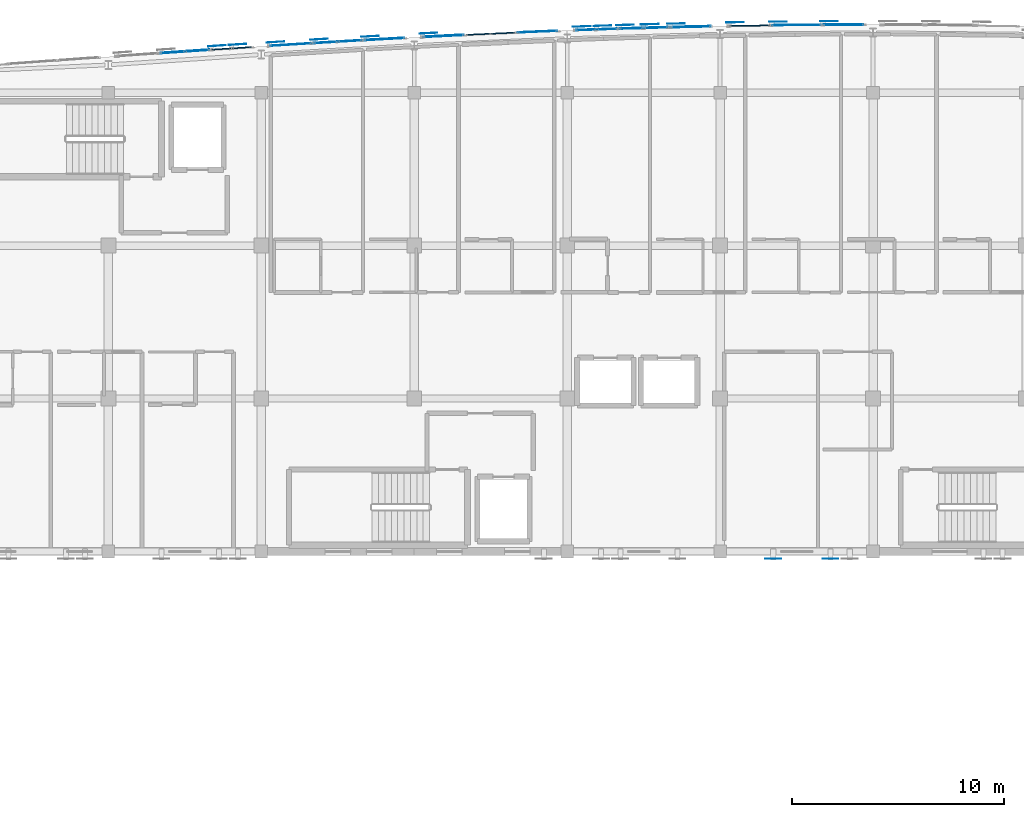
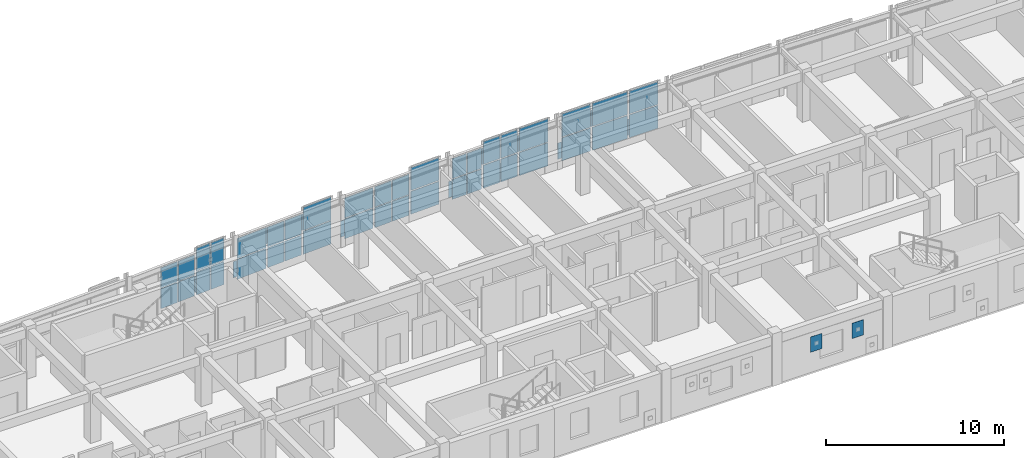
# One storey, part 33 of 50: 56 plates, 14 elements without a shape of their own.
"""IFC4 building model written with IfcOpenShell, lengths in metres."""

from ifc_helpers import new_model, si_unit, direction, frame, origin, origin_2d, place, context, subcontext, project, spatial, rectangle, extrude, material, layer, layer_set, type_object, element, aggregate, save


model = new_model("IFC4")

# Units and contexts
model_context = context("Model", 3, precision=1e-05, world=origin(), true_north=direction((0.0, 1.0)))
body_context = subcontext(model_context, "Body", "Model", "MODEL_VIEW")
ifc_project = project(units=[si_unit("LENGTHUNIT", "METRE"), si_unit("AREAUNIT", "SQUARE_METRE"), si_unit("VOLUMEUNIT", "CUBIC_METRE"), si_unit("PLANEANGLEUNIT", "RADIAN"), si_unit("MASSUNIT", "GRAM", prefix="KILO")], contexts=[model_context])

# Site, building, storey
site_placement = place(None, origin())
site = spatial("IfcSite", under=ifc_project, at=site_placement, CompositionType="ELEMENT")
building_placement = place(site_placement, origin())
building = spatial("IfcBuilding", under=site, at=building_placement, Name="Carrowvane Square Congress Hotel", CompositionType="ELEMENT")
storey_placement = place(building_placement, frame((0.0, 0.0, 22.800048828125)))
storey = spatial("IfcBuildingStorey", under=building, at=storey_placement, Name="L05", CompositionType="ELEMENT", Elevation=22.800048828125)

# Curtain wall, plates
ifc_material_1 = material(Name="Anodised aluminium", Category="aluminium")
ifc_layer_1 = layer(ifc_material_1, 0.162109375)
ifc_layer_set_1 = layer_set([ifc_layer_1], Name="Anodised aluminium")
curtain_wall_type_1 = type_object("IfcCurtainWallType", Name="CW-SYS-1", PredefinedType="NOTDEFINED", material=ifc_layer_set_1)
curtain_wall_1_placement = place(storey_placement, origin())
curtain_wall_1 = element("IfcCurtainWall", 1, at=curtain_wall_1_placement, inside=storey, type_object=curtain_wall_type_1, Name="L05 unitised curtain wall 320", PredefinedType="NOTDEFINED")
ifc_material_2 = material(Name="Double-glazed low-E glass", Category="glass")
ifc_layer_2 = layer(ifc_material_2, 0.028076171875)
ifc_layer_set_2 = layer_set([ifc_layer_2], Name="Double-glazed low-E glass")
plate_type_1 = type_object("IfcPlateType", Name="CW-PAN-1", PredefinedType="CURTAIN_PANEL", material=ifc_layer_set_2)
plate_1_placement = place(storey_placement, frame((70.580078125, 115.66064453125, 0.06005859375), z_axis=(0.0, 0.0, 1.0), x_axis=(0.998051378998, 0.062397474952, 0.0)))
plate_1 = element("IfcPlate", 2, at=plate_1_placement, type_object=plate_type_1, Name="CW-1 panel 1.1", PredefinedType="CURTAIN_PANEL", context=body_context, shape_type="SweptSolid", body=[
    extrude(rectangle(XDim=1.924072265625, YDim=0.028076171875, at=origin_2d()), origin(), (0.0, 0.0, 1.0), 1.372802734375),
])
plate_2_placement = place(storey_placement, frame((70.580078125, 115.66064453125, 1.49267578125), z_axis=(0.0, 0.0, 1.0), x_axis=(0.998051378998, 0.062397474952, 0.0)))
plate_2 = element("IfcPlate", 3, at=plate_2_placement, type_object=plate_type_1, Name="CW-1 panel 1.2", PredefinedType="CURTAIN_PANEL", context=body_context, shape_type="SweptSolid", body=[
    extrude(rectangle(XDim=1.924072265625, YDim=0.028076171875, at=origin_2d()), origin(), (0.0, 0.0, 1.0), 1.372802734375),
])
aggregate(curtain_wall_1, [plate_1, plate_2])

ifc_material_3 = material(Name="Anodised aluminium", Category="aluminium")
ifc_layer_3 = layer(ifc_material_3, 0.221923828125)
ifc_layer_set_3 = layer_set([ifc_layer_3], Name="Anodised aluminium")
curtain_wall_type_2 = type_object("IfcCurtainWallType", Name="CW-SYS-6", PredefinedType="NOTDEFINED", material=ifc_layer_set_3)
curtain_wall_2_placement = place(storey_placement, origin())
curtain_wall_2 = element("IfcCurtainWall", 4, at=curtain_wall_2_placement, inside=storey, type_object=curtain_wall_type_2, Name="L05 unitised curtain wall 325", PredefinedType="NOTDEFINED")
plate_3_placement = place(storey_placement, frame((82.200439453125, 116.267822265625, 0.06982421875), z_axis=(0.0, 0.0, 1.0), x_axis=(0.999194236464, 0.040135742379, 0.0)))
plate_3 = element("IfcPlate", 5, at=plate_3_placement, type_object=plate_type_1, Name="CW-6 panel 1.1", PredefinedType="CURTAIN_PANEL", context=body_context, shape_type="SweptSolid", body=[
    extrude(rectangle(XDim=1.86279296875, YDim=0.028076171875, at=origin_2d()), origin(), (0.0, 0.0, 1.0), 1.570068359375),
])
plate_4_placement = place(storey_placement, frame((82.200439453125, 116.267822265625, 1.7099609375), z_axis=(0.0, 0.0, 1.0), x_axis=(0.999194236464, 0.040135742379, 0.0)))
plate_4 = element("IfcPlate", 6, at=plate_4_placement, type_object=plate_type_1, Name="CW-6 panel 1.2", PredefinedType="CURTAIN_PANEL", context=body_context, shape_type="SweptSolid", body=[
    extrude(rectangle(XDim=1.86279296875, YDim=0.028076171875, at=origin_2d()), origin(), (0.0, 0.0, 1.0), 1.570068359375),
])
aggregate(curtain_wall_2, [plate_3, plate_4])

ifc_material_4 = material(Name="Anodised aluminium", Category="aluminium")
ifc_layer_4 = layer(ifc_material_4, 0.18603515625)
ifc_layer_set_4 = layer_set([ifc_layer_4], Name="Anodised aluminium")
curtain_wall_type_3 = type_object("IfcCurtainWallType", Name="CW-SYS-3", PredefinedType="NOTDEFINED", material=ifc_layer_set_4)
curtain_wall_3_placement = place(storey_placement, origin())
curtain_wall_3 = element("IfcCurtainWall", 7, at=curtain_wall_3_placement, inside=storey, type_object=curtain_wall_type_3, Name="L05 unitised curtain wall 330", PredefinedType="NOTDEFINED")
plate_5_placement = place(storey_placement, frame((94.39990234375, 116.580322265625, 0.06005859375), z_axis=(0.0, 0.0, 1.0), x_axis=(0.999952146231, 0.009782905924, 0.0)))
plate_5 = element("IfcPlate", 8, at=plate_5_placement, type_object=plate_type_1, Name="CW-3 panel 1.1", PredefinedType="CURTAIN_PANEL", context=body_context, shape_type="SweptSolid", body=[
    extrude(rectangle(XDim=2.280029296875, YDim=0.028076171875, at=origin_2d()), origin(), (0.0, 0.0, 1.0), 1.5849609375),
])
plate_6_placement = place(storey_placement, frame((94.39990234375, 116.580322265625, 1.705078125), z_axis=(0.0, 0.0, 1.0), x_axis=(0.999952146231, 0.009782905924, 0.0)))
plate_6 = element("IfcPlate", 9, at=plate_6_placement, type_object=plate_type_1, Name="CW-3 panel 1.2", PredefinedType="CURTAIN_PANEL", context=body_context, shape_type="SweptSolid", body=[
    extrude(rectangle(XDim=2.280029296875, YDim=0.028076171875, at=origin_2d()), origin(), (0.0, 0.0, 1.0), 1.5849609375),
])
aggregate(curtain_wall_3, [plate_5, plate_6])

ifc_material_5 = material(Name="Anodised aluminium", Category="aluminium")
ifc_layer_5 = layer(ifc_material_5, 0.174072265625)
ifc_layer_set_5 = layer_set([ifc_layer_5], Name="Anodised aluminium")
curtain_wall_type_4 = type_object("IfcCurtainWallType", Name="CW-SYS-2", PredefinedType="NOTDEFINED", material=ifc_layer_set_5)
curtain_wall_4_placement = place(storey_placement, origin())
curtain_wall_4 = element("IfcCurtainWall", 10, at=curtain_wall_4_placement, inside=storey, type_object=curtain_wall_type_4, Name="L05 unitised curtain wall 321", PredefinedType="NOTDEFINED")
ifc_material_6 = material(Name="Double-glazed low-E glass", Category="glass")
ifc_layer_6 = layer(ifc_material_6, 0.031982421875)
ifc_layer_set_6 = layer_set([ifc_layer_6], Name="Double-glazed low-E glass")
plate_type_2 = type_object("IfcPlateType", Name="CW-PAN-2", PredefinedType="CURTAIN_PANEL", material=ifc_layer_set_6)
plate_7_placement = place(storey_placement, frame((72.217529296875, 115.7607421875, 0.06982421875), z_axis=(0.0, 0.0, 1.0), x_axis=(0.998266763162, 0.058851249486, 0.0)))
plate_7 = element("IfcPlate", 11, at=plate_7_placement, type_object=plate_type_2, Name="CW-2 panel 1.1", PredefinedType="CURTAIN_PANEL", context=body_context, shape_type="SweptSolid", body=[
    extrude(rectangle(XDim=1.09716796875, YDim=0.031982421875, at=origin_2d()), origin(), (0.0, 0.0, 1.0), 1.35791015625),
])
plate_8_placement = place(storey_placement, frame((72.217529296875, 115.7607421875, 1.497802734375), z_axis=(0.0, 0.0, 1.0), x_axis=(0.998266763162, 0.058851249486, 0.0)))
plate_8 = element("IfcPlate", 12, at=plate_8_placement, type_object=plate_type_2, Name="CW-2 panel 1.2", PredefinedType="CURTAIN_PANEL", context=body_context, shape_type="SweptSolid", body=[
    extrude(rectangle(XDim=1.09716796875, YDim=0.031982421875, at=origin_2d()), origin(), (0.0, 0.0, 1.0), 1.35791015625),
])
plate_9_placement = place(storey_placement, frame((73.382568359375, 115.829345703125, 0.06982421875), z_axis=(0.0, 0.0, 1.0), x_axis=(0.998266763162, 0.058851249486, 0.0)))
plate_9 = element("IfcPlate", 13, at=plate_9_placement, type_object=plate_type_2, Name="CW-2 panel 2.1", PredefinedType="CURTAIN_PANEL", context=body_context, shape_type="SweptSolid", body=[
    extrude(rectangle(XDim=1.09716796875, YDim=0.031982421875, at=origin_2d()), origin(), (0.0, 0.0, 1.0), 1.35791015625),
])
plate_10_placement = place(storey_placement, frame((73.382568359375, 115.829345703125, 1.497802734375), z_axis=(0.0, 0.0, 1.0), x_axis=(0.998266763162, 0.058851249486, 0.0)))
plate_10 = element("IfcPlate", 14, at=plate_10_placement, type_object=plate_type_2, Name="CW-2 panel 2.2", PredefinedType="CURTAIN_PANEL", context=body_context, shape_type="SweptSolid", body=[
    extrude(rectangle(XDim=1.09716796875, YDim=0.031982421875, at=origin_2d()), origin(), (0.0, 0.0, 1.0), 1.35791015625),
])
aggregate(curtain_wall_4, [plate_7, plate_8, plate_9, plate_10])

ifc_material_7 = material(Name="Anodised aluminium", Category="aluminium")
ifc_layer_7 = layer(ifc_material_7, 0.23388671875)
ifc_layer_set_7 = layer_set([ifc_layer_7], Name="Anodised aluminium")
curtain_wall_type_5 = type_object("IfcCurtainWallType", Name="CW-SYS-7", PredefinedType="NOTDEFINED", material=ifc_layer_set_7)
curtain_wall_5_placement = place(storey_placement, origin())
curtain_wall_5 = element("IfcCurtainWall", 15, at=curtain_wall_5_placement, inside=storey, type_object=curtain_wall_type_5, Name="L05 unitised curtain wall 326", PredefinedType="NOTDEFINED")
plate_11_placement = place(storey_placement, frame((84.492919921875, 116.35498046875, 0.06005859375), z_axis=(0.0, 0.0, 1.0), x_axis=(0.999403774749, 0.034526729036, 0.0)))
plate_11 = element("IfcPlate", 16, at=plate_11_placement, type_object=plate_type_2, Name="CW-7 panel 1.1", PredefinedType="CURTAIN_PANEL", context=body_context, shape_type="SweptSolid", body=[
    extrude(rectangle(XDim=0.92529296875, YDim=0.031982421875, at=origin_2d()), origin(), (0.0, 0.0, 1.0), 1.372802734375),
])
plate_12_placement = place(storey_placement, frame((84.492919921875, 116.35498046875, 1.49267578125), z_axis=(0.0, 0.0, 1.0), x_axis=(0.999403774749, 0.034526729036, 0.0)))
plate_12 = element("IfcPlate", 17, at=plate_12_placement, type_object=plate_type_2, Name="CW-7 panel 1.2", PredefinedType="CURTAIN_PANEL", context=body_context, shape_type="SweptSolid", body=[
    extrude(rectangle(XDim=0.92529296875, YDim=0.031982421875, at=origin_2d()), origin(), (0.0, 0.0, 1.0), 1.372802734375),
])
plate_13_placement = place(storey_placement, frame((85.4775390625, 116.388916015625, 0.06005859375), z_axis=(0.0, 0.0, 1.0), x_axis=(0.999403774749, 0.034526729036, 0.0)))
plate_13 = element("IfcPlate", 18, at=plate_13_placement, type_object=plate_type_2, Name="CW-7 panel 2.1", PredefinedType="CURTAIN_PANEL", context=body_context, shape_type="SweptSolid", body=[
    extrude(rectangle(XDim=0.92529296875, YDim=0.031982421875, at=origin_2d()), origin(), (0.0, 0.0, 1.0), 1.372802734375),
])
plate_14_placement = place(storey_placement, frame((85.4775390625, 116.388916015625, 1.49267578125), z_axis=(0.0, 0.0, 1.0), x_axis=(0.999403774749, 0.034526729036, 0.0)))
plate_14 = element("IfcPlate", 19, at=plate_14_placement, type_object=plate_type_2, Name="CW-7 panel 2.2", PredefinedType="CURTAIN_PANEL", context=body_context, shape_type="SweptSolid", body=[
    extrude(rectangle(XDim=0.92529296875, YDim=0.031982421875, at=origin_2d()), origin(), (0.0, 0.0, 1.0), 1.372802734375),
])
aggregate(curtain_wall_5, [plate_11, plate_12, plate_13, plate_14])

ifc_material_8 = material(Name="Anodised aluminium", Category="aluminium")
ifc_layer_8 = layer(ifc_material_8, 0.197998046875)
ifc_layer_set_8 = layer_set([ifc_layer_8], Name="Anodised aluminium")
curtain_wall_type_6 = type_object("IfcCurtainWallType", Name="CW-SYS-4", PredefinedType="NOTDEFINED", material=ifc_layer_set_8)
curtain_wall_6_placement = place(storey_placement, origin())
curtain_wall_6 = element("IfcCurtainWall", 20, at=curtain_wall_6_placement, inside=storey, type_object=curtain_wall_type_6, Name="L05 unitised curtain wall 331", PredefinedType="NOTDEFINED")
plate_15_placement = place(storey_placement, frame((96.607666015625, 116.595458984375, 0.06982421875), z_axis=(0.0, 0.0, 1.0), x_axis=(0.999994652529, 0.003270307911, 0.0)))
plate_15 = element("IfcPlate", 21, at=plate_15_placement, type_object=plate_type_2, Name="CW-4 panel 1.1", PredefinedType="CURTAIN_PANEL", context=body_context, shape_type="SweptSolid", body=[
    extrude(rectangle(XDim=1.875, YDim=0.031982421875, at=origin_2d()), origin(), (0.0, 0.0, 1.0), 1.570068359375),
])
plate_16_placement = place(storey_placement, frame((96.607666015625, 116.595458984375, 1.7099609375), z_axis=(0.0, 0.0, 1.0), x_axis=(0.999994652529, 0.003270307911, 0.0)))
plate_16 = element("IfcPlate", 22, at=plate_16_placement, type_object=plate_type_2, Name="CW-4 panel 1.2", PredefinedType="CURTAIN_PANEL", context=body_context, shape_type="SweptSolid", body=[
    extrude(rectangle(XDim=1.875, YDim=0.031982421875, at=origin_2d()), origin(), (0.0, 0.0, 1.0), 1.570068359375),
])
aggregate(curtain_wall_6, [plate_15, plate_16])

curtain_wall_7_placement = place(storey_placement, origin())
curtain_wall_7 = element("IfcCurtainWall", 23, at=curtain_wall_7_placement, inside=storey, type_object=curtain_wall_type_3, Name="L05 unitised curtain wall 322", PredefinedType="NOTDEFINED")
ifc_material_9 = material(Name="Double-glazed low-E glass", Category="glass")
ifc_layer_9 = layer(ifc_material_9, 0.035888671875)
ifc_layer_set_9 = layer_set([ifc_layer_9], Name="Double-glazed low-E glass")
plate_type_3 = type_object("IfcPlateType", Name="CW-PAN-3", PredefinedType="CURTAIN_PANEL", material=ifc_layer_set_9)
plate_17_placement = place(storey_placement, frame((74.997802734375, 115.920654296875, 0.06005859375), z_axis=(0.0, 0.0, 1.0), x_axis=(0.998496473856, 0.054815980317, 0.0)))
plate_17 = element("IfcPlate", 24, at=plate_17_placement, type_object=plate_type_3, Name="CW-3 panel 1.1", PredefinedType="CURTAIN_PANEL", context=body_context, shape_type="SweptSolid", body=[
    extrude(rectangle(XDim=1.87841796875, YDim=0.035888671875, at=origin_2d()), origin(), (0.0, 0.0, 1.0), 1.5849609375),
])
plate_18_placement = place(storey_placement, frame((74.997802734375, 115.920654296875, 1.705078125), z_axis=(0.0, 0.0, 1.0), x_axis=(0.998496473856, 0.054815980317, 0.0)))
plate_18 = element("IfcPlate", 25, at=plate_18_placement, type_object=plate_type_3, Name="CW-3 panel 1.2", PredefinedType="CURTAIN_PANEL", context=body_context, shape_type="SweptSolid", body=[
    extrude(rectangle(XDim=1.87841796875, YDim=0.035888671875, at=origin_2d()), origin(), (0.0, 0.0, 1.0), 1.5849609375),
])
aggregate(curtain_wall_7, [plate_17, plate_18])

ifc_material_10 = material(Name="Anodised aluminium", Category="aluminium")
ifc_layer_10 = layer(ifc_material_10, 0.24609375)
ifc_layer_set_10 = layer_set([ifc_layer_10], Name="Anodised aluminium")
curtain_wall_type_7 = type_object("IfcCurtainWallType", Name="CW-SYS-8", PredefinedType="NOTDEFINED", material=ifc_layer_set_10)
curtain_wall_8_placement = place(storey_placement, origin())
curtain_wall_8 = element("IfcCurtainWall", 26, at=curtain_wall_8_placement, inside=storey, type_object=curtain_wall_type_7, Name="L05 unitised curtain wall 327", PredefinedType="NOTDEFINED")
plate_19_placement = place(storey_placement, frame((86.617431640625, 116.424560546875, 0.06982421875), z_axis=(0.0, 0.0, 1.0), x_axis=(0.999589848065, 0.028638010501, 0.0)))
plate_19 = element("IfcPlate", 27, at=plate_19_placement, type_object=plate_type_3, Name="CW-8 panel 1.1", PredefinedType="CURTAIN_PANEL", context=body_context, shape_type="SweptSolid", body=[
    extrude(rectangle(XDim=1.095458984375, YDim=0.035888671875, at=origin_2d()), origin(), (0.0, 0.0, 1.0), 1.570068359375),
])
plate_20_placement = place(storey_placement, frame((86.617431640625, 116.424560546875, 1.7099609375), z_axis=(0.0, 0.0, 1.0), x_axis=(0.999589848065, 0.028638010501, 0.0)))
plate_20 = element("IfcPlate", 28, at=plate_20_placement, type_object=plate_type_3, Name="CW-8 panel 1.2", PredefinedType="CURTAIN_PANEL", context=body_context, shape_type="SweptSolid", body=[
    extrude(rectangle(XDim=1.095458984375, YDim=0.035888671875, at=origin_2d()), origin(), (0.0, 0.0, 1.0), 1.570068359375),
])
plate_21_placement = place(storey_placement, frame((87.782470703125, 116.4580078125, 0.06982421875), z_axis=(0.0, 0.0, 1.0), x_axis=(0.999589848065, 0.028638010501, 0.0)))
plate_21 = element("IfcPlate", 29, at=plate_21_placement, type_object=plate_type_3, Name="CW-8 panel 2.1", PredefinedType="CURTAIN_PANEL", context=body_context, shape_type="SweptSolid", body=[
    extrude(rectangle(XDim=1.095458984375, YDim=0.035888671875, at=origin_2d()), origin(), (0.0, 0.0, 1.0), 1.570068359375),
])
plate_22_placement = place(storey_placement, frame((87.782470703125, 116.4580078125, 1.7099609375), z_axis=(0.0, 0.0, 1.0), x_axis=(0.999589848065, 0.028638010501, 0.0)))
plate_22 = element("IfcPlate", 30, at=plate_22_placement, type_object=plate_type_3, Name="CW-8 panel 2.2", PredefinedType="CURTAIN_PANEL", context=body_context, shape_type="SweptSolid", body=[
    extrude(rectangle(XDim=1.095458984375, YDim=0.035888671875, at=origin_2d()), origin(), (0.0, 0.0, 1.0), 1.570068359375),
])
aggregate(curtain_wall_8, [plate_19, plate_20, plate_21, plate_22])

curtain_wall_9_placement = place(storey_placement, origin())
curtain_wall_9 = element("IfcCurtainWall", 31, at=curtain_wall_9_placement, inside=storey, type_object=curtain_wall_type_5, Name="L05 unitised curtain wall 318", PredefinedType="NOTDEFINED")
ifc_material_11 = material(Name="Double-glazed low-E glass", Category="glass")
ifc_layer_11 = layer(ifc_material_11, 0.0419921875)
ifc_layer_set_11 = layer_set([ifc_layer_11], Name="Double-glazed low-E glass")
plate_type_4 = type_object("IfcPlateType", Name="CW-PAN-4", PredefinedType="CURTAIN_PANEL", material=ifc_layer_set_11)
plate_23_placement = place(storey_placement, frame((65.014892578125, 115.295654296875, 0.06005859375), z_axis=(0.0, 0.0, 1.0), x_axis=(0.997694484404, 0.067865424104, 0.0)))
plate_23 = element("IfcPlate", 32, at=plate_23_placement, type_object=plate_type_4, Name="CW-7 panel 1.1", PredefinedType="CURTAIN_PANEL", context=body_context, shape_type="SweptSolid", body=[
    extrude(rectangle(XDim=1.11279296875, YDim=0.0419921875, at=origin_2d()), origin(), (0.0, 0.0, 1.0), 1.372802734375),
])
plate_24_placement = place(storey_placement, frame((65.014892578125, 115.295654296875, 1.49267578125), z_axis=(0.0, 0.0, 1.0), x_axis=(0.997694484404, 0.067865424104, 0.0)))
plate_24 = element("IfcPlate", 33, at=plate_24_placement, type_object=plate_type_4, Name="CW-7 panel 1.2", PredefinedType="CURTAIN_PANEL", context=body_context, shape_type="SweptSolid", body=[
    extrude(rectangle(XDim=1.11279296875, YDim=0.0419921875, at=origin_2d()), origin(), (0.0, 0.0, 1.0), 1.372802734375),
])
plate_25_placement = place(storey_placement, frame((66.18505859375, 115.375244140625, 0.06005859375), z_axis=(0.0, 0.0, 1.0), x_axis=(0.997694484404, 0.067865424104, 0.0)))
plate_25 = element("IfcPlate", 34, at=plate_25_placement, type_object=plate_type_4, Name="CW-7 panel 2.1", PredefinedType="CURTAIN_PANEL", context=body_context, shape_type="SweptSolid", body=[
    extrude(rectangle(XDim=1.11279296875, YDim=0.0419921875, at=origin_2d()), origin(), (0.0, 0.0, 1.0), 1.372802734375),
])
plate_26_placement = place(storey_placement, frame((66.18505859375, 115.375244140625, 1.49267578125), z_axis=(0.0, 0.0, 1.0), x_axis=(0.997694484404, 0.067865424104, 0.0)))
plate_26 = element("IfcPlate", 35, at=plate_26_placement, type_object=plate_type_4, Name="CW-7 panel 2.2", PredefinedType="CURTAIN_PANEL", context=body_context, shape_type="SweptSolid", body=[
    extrude(rectangle(XDim=1.11279296875, YDim=0.0419921875, at=origin_2d()), origin(), (0.0, 0.0, 1.0), 1.372802734375),
])
aggregate(curtain_wall_9, [plate_23, plate_24, plate_25, plate_26])

curtain_wall_10_placement = place(storey_placement, origin())
curtain_wall_10 = element("IfcCurtainWall", 36, at=curtain_wall_10_placement, inside=storey, type_object=curtain_wall_type_6, Name="L05 unitised curtain wall 323", PredefinedType="NOTDEFINED")
plate_27_placement = place(storey_placement, frame((77.7822265625, 116.067138671875, 0.06982421875), z_axis=(0.0, 0.0, 1.0), x_axis=(0.998732955299, 0.050323791596, 0.0)))
plate_27 = element("IfcPlate", 37, at=plate_27_placement, type_object=plate_type_4, Name="CW-4 panel 1.1", PredefinedType="CURTAIN_PANEL", context=body_context, shape_type="SweptSolid", body=[
    extrude(rectangle(XDim=1.89794921875, YDim=0.0419921875, at=origin_2d()), origin(), (0.0, 0.0, 1.0), 1.35791015625),
])
plate_28_placement = place(storey_placement, frame((77.7822265625, 116.067138671875, 1.497802734375), z_axis=(0.0, 0.0, 1.0), x_axis=(0.998732955299, 0.050323791596, 0.0)))
plate_28 = element("IfcPlate", 38, at=plate_28_placement, type_object=plate_type_4, Name="CW-4 panel 1.2", PredefinedType="CURTAIN_PANEL", context=body_context, shape_type="SweptSolid", body=[
    extrude(rectangle(XDim=1.89794921875, YDim=0.0419921875, at=origin_2d()), origin(), (0.0, 0.0, 1.0), 1.35791015625),
])
aggregate(curtain_wall_10, [plate_27, plate_28])

curtain_wall_11_placement = place(storey_placement, origin())
curtain_wall_11 = element("IfcCurtainWall", 39, at=curtain_wall_11_placement, inside=storey, type_object=curtain_wall_type_1, Name="L05 unitised curtain wall 328", PredefinedType="NOTDEFINED")
plate_29_placement = place(storey_placement, frame((89.40380859375, 116.498291015625, 0.06005859375), z_axis=(0.0, 0.0, 1.0), x_axis=(0.99974644475, 0.022517686606, 0.0)))
plate_29 = element("IfcPlate", 40, at=plate_29_placement, type_object=plate_type_4, Name="CW-1 panel 1.1", PredefinedType="CURTAIN_PANEL", context=body_context, shape_type="SweptSolid", body=[
    extrude(rectangle(XDim=1.88818359375, YDim=0.0419921875, at=origin_2d()), origin(), (0.0, 0.0, 1.0), 1.5849609375),
])
plate_30_placement = place(storey_placement, frame((89.40380859375, 116.498291015625, 1.705078125), z_axis=(0.0, 0.0, 1.0), x_axis=(0.99974644475, 0.022517686606, 0.0)))
plate_30 = element("IfcPlate", 41, at=plate_30_placement, type_object=plate_type_4, Name="CW-1 panel 1.2", PredefinedType="CURTAIN_PANEL", context=body_context, shape_type="SweptSolid", body=[
    extrude(rectangle(XDim=1.88818359375, YDim=0.0419921875, at=origin_2d()), origin(), (0.0, 0.0, 1.0), 1.5849609375),
])
aggregate(curtain_wall_11, [plate_29, plate_30])

curtain_wall_12_placement = place(storey_placement, origin())
curtain_wall_12 = element("IfcCurtainWall", 42, at=curtain_wall_12_placement, inside=storey, type_object=curtain_wall_type_7, Name="L05 unitised curtain wall 319", PredefinedType="NOTDEFINED")
ifc_material_12 = material(Name="Double-glazed low-E glass", Category="glass")
ifc_layer_12 = layer(ifc_material_12, 0.048095703125)
ifc_layer_set_12 = layer_set([ifc_layer_12], Name="Double-glazed low-E glass")
plate_type_5 = type_object("IfcPlateType", Name="CW-PAN-5", PredefinedType="CURTAIN_PANEL", material=ifc_layer_set_12)
plate_31_placement = place(storey_placement, frame((67.3154296875, 115.45068359375, 0.06982421875), z_axis=(0.0, 0.0, 1.0), x_axis=(0.997858327155, 0.065412223074, 0.0)))
plate_31 = element("IfcPlate", 43, at=plate_31_placement, type_object=plate_type_5, Name="CW-8 panel 1.1", PredefinedType="CURTAIN_PANEL", context=body_context, shape_type="SweptSolid", body=[
    extrude(rectangle(XDim=0.892822265625, YDim=0.048095703125, at=origin_2d()), origin(), (0.0, 0.0, 1.0), 1.570068359375),
])
plate_32_placement = place(storey_placement, frame((67.3154296875, 115.45068359375, 1.7099609375), z_axis=(0.0, 0.0, 1.0), x_axis=(0.997858327155, 0.065412223074, 0.0)))
plate_32 = element("IfcPlate", 44, at=plate_32_placement, type_object=plate_type_5, Name="CW-8 panel 1.2", PredefinedType="CURTAIN_PANEL", context=body_context, shape_type="SweptSolid", body=[
    extrude(rectangle(XDim=0.892822265625, YDim=0.048095703125, at=origin_2d()), origin(), (0.0, 0.0, 1.0), 1.570068359375),
])
plate_33_placement = place(storey_placement, frame((68.276123046875, 115.513671875, 0.06982421875), z_axis=(0.0, 0.0, 1.0), x_axis=(0.997858327155, 0.065412223074, 0.0)))
plate_33 = element("IfcPlate", 45, at=plate_33_placement, type_object=plate_type_5, Name="CW-8 panel 2.1", PredefinedType="CURTAIN_PANEL", context=body_context, shape_type="SweptSolid", body=[
    extrude(rectangle(XDim=0.892822265625, YDim=0.048095703125, at=origin_2d()), origin(), (0.0, 0.0, 1.0), 1.570068359375),
])
plate_34_placement = place(storey_placement, frame((68.276123046875, 115.513671875, 1.7099609375), z_axis=(0.0, 0.0, 1.0), x_axis=(0.997858327155, 0.065412223074, 0.0)))
plate_34 = element("IfcPlate", 46, at=plate_34_placement, type_object=plate_type_5, Name="CW-8 panel 2.2", PredefinedType="CURTAIN_PANEL", context=body_context, shape_type="SweptSolid", body=[
    extrude(rectangle(XDim=0.892822265625, YDim=0.048095703125, at=origin_2d()), origin(), (0.0, 0.0, 1.0), 1.570068359375),
])
aggregate(curtain_wall_12, [plate_31, plate_32, plate_33, plate_34])

ifc_material_13 = material(Name="Anodised aluminium", Category="aluminium")
ifc_layer_13 = layer(ifc_material_13, 0.2099609375)
ifc_layer_set_13 = layer_set([ifc_layer_13], Name="Anodised aluminium")
curtain_wall_type_8 = type_object("IfcCurtainWallType", Name="CW-SYS-5", PredefinedType="NOTDEFINED", material=ifc_layer_set_13)
curtain_wall_13_placement = place(storey_placement, origin())
curtain_wall_13 = element("IfcCurtainWall", 47, at=curtain_wall_13_placement, inside=storey, type_object=curtain_wall_type_8, Name="L05 unitised curtain wall 324", PredefinedType="NOTDEFINED")
plate_35_placement = place(storey_placement, frame((79.4150390625, 116.146484375, 0.06005859375), z_axis=(0.0, 0.0, 1.0), x_axis=(0.998968385726, 0.045411059449, 0.0)))
plate_35 = element("IfcPlate", 48, at=plate_35_placement, type_object=plate_type_5, Name="CW-5 panel 1.1", PredefinedType="CURTAIN_PANEL", context=body_context, shape_type="SweptSolid", body=[
    extrude(rectangle(XDim=1.111328125, YDim=0.048095703125, at=origin_2d()), origin(), (0.0, 0.0, 1.0), 1.372802734375),
])
plate_36_placement = place(storey_placement, frame((79.4150390625, 116.146484375, 1.49267578125), z_axis=(0.0, 0.0, 1.0), x_axis=(0.998968385726, 0.045411059449, 0.0)))
plate_36 = element("IfcPlate", 49, at=plate_36_placement, type_object=plate_type_5, Name="CW-5 panel 1.2", PredefinedType="CURTAIN_PANEL", context=body_context, shape_type="SweptSolid", body=[
    extrude(rectangle(XDim=1.111328125, YDim=0.048095703125, at=origin_2d()), origin(), (0.0, 0.0, 1.0), 1.372802734375),
])
plate_37_placement = place(storey_placement, frame((80.5849609375, 116.19970703125, 0.06005859375), z_axis=(0.0, 0.0, 1.0), x_axis=(0.998968385726, 0.045411059449, 0.0)))
plate_37 = element("IfcPlate", 50, at=plate_37_placement, type_object=plate_type_5, Name="CW-5 panel 2.1", PredefinedType="CURTAIN_PANEL", context=body_context, shape_type="SweptSolid", body=[
    extrude(rectangle(XDim=1.111328125, YDim=0.048095703125, at=origin_2d()), origin(), (0.0, 0.0, 1.0), 1.372802734375),
])
plate_38_placement = place(storey_placement, frame((80.5849609375, 116.19970703125, 1.49267578125), z_axis=(0.0, 0.0, 1.0), x_axis=(0.998968385726, 0.045411059449, 0.0)))
plate_38 = element("IfcPlate", 51, at=plate_38_placement, type_object=plate_type_5, Name="CW-5 panel 2.2", PredefinedType="CURTAIN_PANEL", context=body_context, shape_type="SweptSolid", body=[
    extrude(rectangle(XDim=1.111328125, YDim=0.048095703125, at=origin_2d()), origin(), (0.0, 0.0, 1.0), 1.372802734375),
])
aggregate(curtain_wall_13, [plate_35, plate_36, plate_37, plate_38])

curtain_wall_14_placement = place(storey_placement, origin())
curtain_wall_14 = element("IfcCurtainWall", 52, at=curtain_wall_14_placement, inside=storey, type_object=curtain_wall_type_4, Name="L05 unitised curtain wall 329", PredefinedType="NOTDEFINED")
plate_39_placement = place(storey_placement, frame((92.188720703125, 116.55224609375, 0.06982421875), z_axis=(0.0, 0.0, 1.0), x_axis=(0.99986851233, 0.016215981364, 0.0)))
plate_39 = element("IfcPlate", 53, at=plate_39_placement, type_object=plate_type_5, Name="CW-2 panel 1.1", PredefinedType="CURTAIN_PANEL", context=body_context, shape_type="SweptSolid", body=[
    extrude(rectangle(XDim=1.8828125, YDim=0.048095703125, at=origin_2d()), origin(), (0.0, 0.0, 1.0), 1.570068359375),
])
plate_40_placement = place(storey_placement, frame((92.188720703125, 116.55224609375, 1.7099609375), z_axis=(0.0, 0.0, 1.0), x_axis=(0.99986851233, 0.016215981364, 0.0)))
plate_40 = element("IfcPlate", 54, at=plate_40_placement, type_object=plate_type_5, Name="CW-2 panel 1.2", PredefinedType="CURTAIN_PANEL", context=body_context, shape_type="SweptSolid", body=[
    extrude(rectangle(XDim=1.8828125, YDim=0.048095703125, at=origin_2d()), origin(), (0.0, 0.0, 1.0), 1.570068359375),
])
aggregate(curtain_wall_14, [plate_39, plate_40])

# Plates
ifc_material_14 = material(Name="Champagne-gold anodised aluminium", Category="aluminium")
ifc_layer_14 = layer(ifc_material_14, 0.011962890625)
ifc_layer_set_14 = layer_set([ifc_layer_14], Name="Champagne-gold anodised aluminium")
plate_type_6 = type_object("IfcPlateType", Name="PLT-PIX-GOLD12", PredefinedType="SHEET", material=ifc_layer_set_14)
for number, where, z_axis, x_axis, name in (
    (55, (67.11328125, 115.603759765625, 0.119873046875), (0.0, 0.0, 1.0), (0.99785825325, 0.065413350476, 0.0), "Champagne-gold pixel screen plate 406"),
    (56, (68.073974609375, 115.666748046875, 1.58984375), (0.0, 0.0, 1.0), (0.99785825325, 0.065413350476, 0.0), "Champagne-gold pixel screen plate 407"),
    (57, (71.91455078125, 115.9091796875, 1.58984375), (0.0, 0.0, 1.0), (0.998266695506, 0.05885239709, 0.0), "Champagne-gold pixel screen plate 409"),
    (58, (77.08056640625, 116.197998046875, 0.119873046875), (0.0, 0.0, 1.0), (0.998733066647, 0.050321581706, 0.0), "Champagne-gold pixel screen plate 411"),
    (59, (86.31982421875, 116.582275390625, 1.58984375), (0.0, 0.0, 1.0), (0.999589805464, 0.028639497417, 0.0), "Champagne-gold pixel screen plate 414"),
    (60, (87.48486328125, 116.615478515625, 0.119873046875), (0.0, 0.0, 1.0), (0.999589805464, 0.028639497417, 0.0), "Champagne-gold pixel screen plate 415"),
    (61, (91.49951171875, 116.70703125, 0.119873046875), (0.0, 0.0, 1.0), (0.999868508772, 0.016216200758, 0.0), "Champagne-gold pixel screen plate 417"),
    (62, (95.92431640625, 116.75927734375, 0.119873046875), (0.0, 0.0, 1.0), (0.999994654955, 0.003269565853, 0.0), "Champagne-gold pixel screen plate 419"),
):
    element("IfcPlate", number, at=place(storey_placement, frame(where, z_axis=z_axis, x_axis=x_axis)), inside=storey, type_object=plate_type_6, Name=name, PredefinedType="SHEET", context=body_context, shape_type="SweptSolid", body=[
        extrude(rectangle(XDim=0.827880859375, YDim=0.011962890625, at=origin_2d()), origin(), (0.0, 0.0, 1.0), 1.1201171875),
    ])
for number, where, z_axis, x_axis, name in (
    (63, (96.0, 91.4541015625, 1.52490234375), (0.0, 0.0, 1.0), (-1.0, 0.0, 0.0), "Champagne-gold pixel screen plate S-484"),
    (64, (93.300048828125, 91.4541015625, 1.52490234375), (0.0, 0.0, 1.0), (-1.0, 0.0, 0.0), "Champagne-gold pixel screen plate S-485"),
):
    element("IfcPlate", number, at=place(storey_placement, frame(where, z_axis=z_axis, x_axis=x_axis)), inside=storey, type_object=plate_type_6, Name=name, PredefinedType="SHEET", context=body_context, shape_type="SweptSolid", body=[
        extrude(rectangle(XDim=0.738037109375, YDim=0.011962890625, at=origin_2d()), origin(), (0.0, 0.0, 1.0), 1.050048828125),
    ])
ifc_material_15 = material(Name="Champagne-gold anodised aluminium", Category="aluminium")
ifc_layer_15 = layer(ifc_material_15, 0.008056640625)
ifc_layer_set_15 = layer_set([ifc_layer_15], Name="Champagne-gold anodised aluminium")
plate_type_7 = type_object("IfcPlateType", Name="PLT-PIX-GOLD8", PredefinedType="SHEET", material=ifc_layer_set_15)
for number, where, z_axis, x_axis, name in (
    (65, (69.868896484375, 115.780517578125, 0.119873046875), (0.0, 0.0, 1.0), (0.998051413269, 0.062396926785, 0.0), "Champagne-gold pixel screen plate 408"),
    (66, (74.310302734375, 116.047119140625, 1.58984375), (0.0, 0.0, 1.0), (0.998496552462, 0.054814548441, 0.0), "Champagne-gold pixel screen plate 410"),
    (67, (84.284423828125, 116.51171875, 0.119873046875), (0.0, 0.0, 1.0), (0.999403768784, 0.034526901703, 0.0), "Champagne-gold pixel screen plate 412"),
    (68, (85.269287109375, 116.5458984375, 0.119873046875), (0.0, 0.0, 1.0), (0.999403768784, 0.034526901703, 0.0), "Champagne-gold pixel screen plate 413"),
    (69, (88.716064453125, 116.646728515625, 1.58984375), (0.0, 0.0, 1.0), (0.999746418061, 0.022518871507, 0.0), "Champagne-gold pixel screen plate 416"),
    (70, (93.51806640625, 116.73583984375, 1.58984375), (0.0, 0.0, 1.0), (0.999952150705, 0.009782448565, 0.0), "Champagne-gold pixel screen plate 418"),
):
    element("IfcPlate", number, at=place(storey_placement, frame(where, z_axis=z_axis, x_axis=x_axis)), inside=storey, type_object=plate_type_7, Name=name, PredefinedType="SHEET", context=body_context, shape_type="SweptSolid", body=[
        extrude(rectangle(XDim=0.827880859375, YDim=0.008056640625, at=origin_2d()), origin(), (0.0, 0.0, 1.0), 1.1201171875),
    ])

save(model, "model.ifc")
